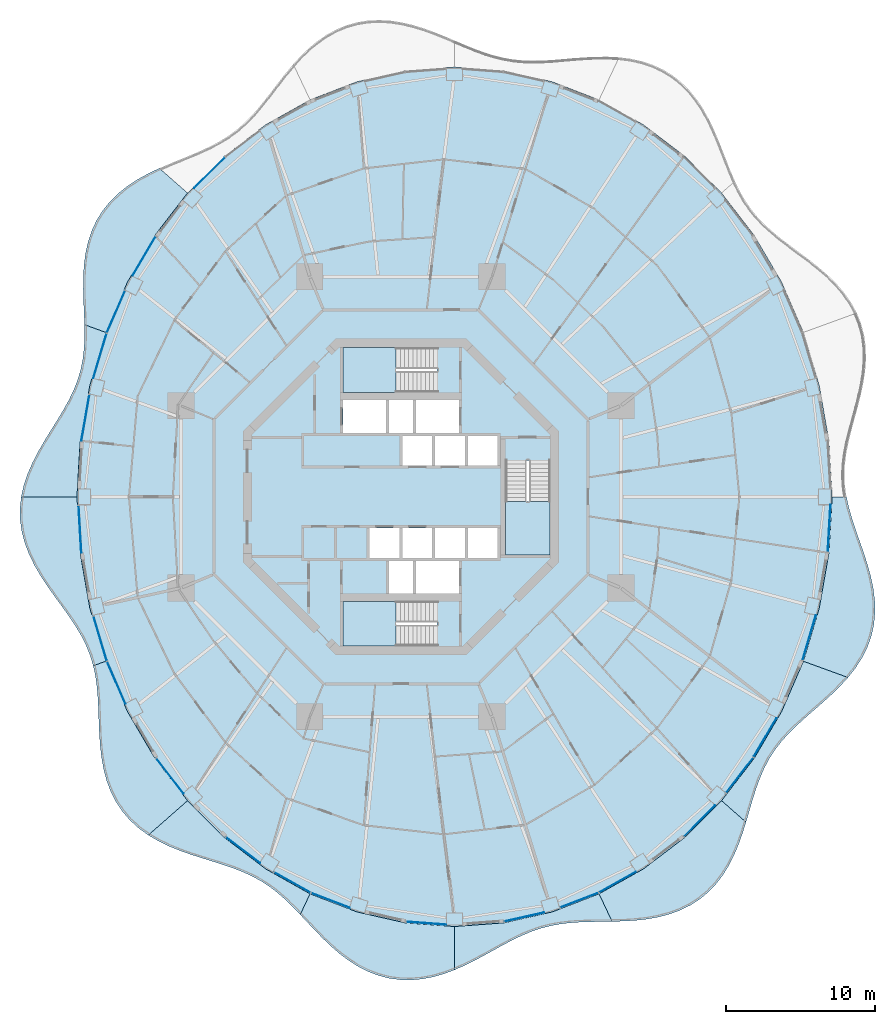
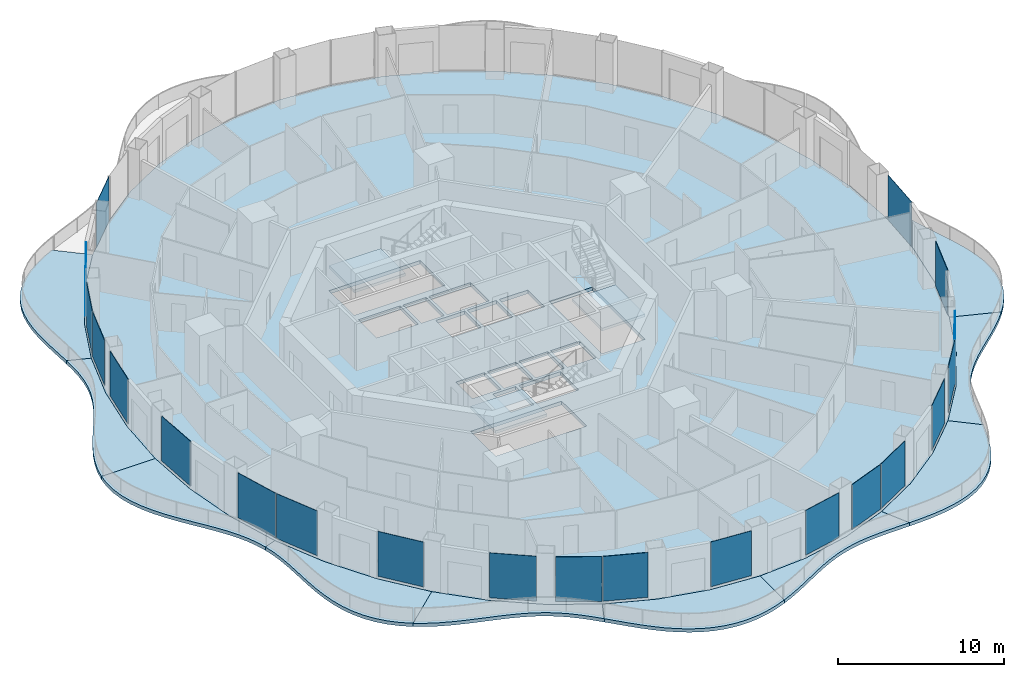
# One storey, part 9 of 19: 21 plates, 14 slabs, 24 elements without a shape of their own.
"""IFC4 building model written with IfcOpenShell, lengths in metres."""

from ifc_helpers import new_model, si_unit, direction, frame, origin, origin_2d, place, context, subcontext, project, spatial, polyline, rectangle, outline, extrude, material, layer, layer_set, type_object, element, aggregate, save


model = new_model("IFC4")

# Units and contexts
model_context = context("Model", 3, precision=1e-05, world=origin(), true_north=direction((0.0, 1.0)))
body_context = subcontext(model_context, "Body", "Model", "MODEL_VIEW")
ifc_project = project(units=[si_unit("LENGTHUNIT", "METRE"), si_unit("AREAUNIT", "SQUARE_METRE"), si_unit("VOLUMEUNIT", "CUBIC_METRE"), si_unit("PLANEANGLEUNIT", "RADIAN"), si_unit("MASSUNIT", "GRAM", prefix="KILO")], contexts=[model_context])

# Site, building, storey
site_placement = place(None, origin())
site = spatial("IfcSite", under=ifc_project, at=site_placement, CompositionType="ELEMENT")
building_placement = place(site_placement, origin())
building = spatial("IfcBuilding", under=site, at=building_placement, Name="Nagisa Residences", CompositionType="ELEMENT")
storey_placement = place(building_placement, frame((0.0, 0.0, 195.5)))
storey = spatial("IfcBuildingStorey", under=building, at=storey_placement, Name="L49", CompositionType="ELEMENT", Elevation=195.5)

# Slabs
ifc_material_1 = material(Name="Concrete C40/50", Category="concrete")
ifc_layer_1 = layer(ifc_material_1, 0.25)
ifc_layer_set_1 = layer_set([ifc_layer_1], Name="BALCONY SLAB 250")
slab_type_1 = type_object("IfcSlabType", Name="BALCONY SLAB 250", PredefinedType="FLOOR", material=ifc_layer_set_1)
slab_1_placement = place(storey_placement, frame((0.0, 0.0, -0.25)))
element("IfcSlab", 1, at=slab_1_placement, inside=storey, type_object=slab_type_1, Name="slab:L49:bal06", PredefinedType="FLOOR", context=body_context, shape_type="SweptSolid", body=[
    extrude(outline(polyline([(-16.233642578125, 22.079345703125), (-16.971923828125, 21.72509765625), (-17.686279296875, 21.331298828125), (-18.362060546875, 20.890380859375), (-18.986328125, 20.396728515625), (-19.54736328125, 19.84814453125), (-20.03564453125, 19.24462890625), (-20.4453125, 18.589111328125), (-20.773681640625, 17.88671875), (-21.021484375, 17.144287109375), (-21.193359375, 16.370361328125), (-21.297607421875, 15.573974609375), (-21.34521484375, 14.7646484375), (-21.349853515625, 13.95166015625), (-21.327392578125, 13.143310546875), (-21.293701171875, 12.346923828125), (-21.265869140625, 11.567626953125), (-19.843505859375, 11.050048828125), (-18.37548828125, 14.4375), (-16.53125, 17.577880859375), (-14.3427734375, 20.417724609375), (-16.233642578125, 22.079345703125)])), origin(), (0.0, 0.0, 1.0), 0.25),
])
slab_2_placement = place(storey_placement, frame((0.0, 0.0, -0.25)))
element("IfcSlab", 2, at=slab_2_placement, inside=storey, type_object=slab_type_1, Name="slab:L49:bal07", PredefinedType="FLOOR", context=body_context, shape_type="SweptSolid", body=[
    extrude(outline(polyline([(-21.265869140625, 11.567626953125), (-21.25927734375, 10.78564453125), (-21.290283203125, 10.027587890625), (-21.37109375, 9.293212890625), (-21.5107421875, 8.58056640625), (-21.713134765625, 7.88525390625), (-21.978515625, 7.20263671875), (-22.302490234375, 6.526123046875), (-22.675537109375, 5.850341796875), (-23.085693359375, 5.169189453125), (-23.516845703125, 4.4775390625), (-23.950927734375, 3.771484375), (-24.368896484375, 3.048828125), (-24.75146484375, 2.308837890625), (-25.08056640625, 1.552001953125), (-25.339599609375, 0.78125), (-25.515869140625, 0.0), (-21.77490234375, 0.0), (-21.557861328125, 3.76904296875), (-20.910400390625, 7.473388671875), (-19.843505859375, 11.050048828125), (-21.265869140625, 11.567626953125)])), origin(), (0.0, 0.0, 1.0), 0.25),
])
slab_3_placement = place(storey_placement, frame((0.0, 0.0, -0.25)))
element("IfcSlab", 3, at=slab_3_placement, inside=storey, type_object=slab_type_1, Name="slab:L49:bal08", PredefinedType="FLOOR", context=body_context, shape_type="SweptSolid", body=[
    extrude(outline(polyline([(-25.515869140625, 0.0), (-25.599609375, -0.786865234375), (-25.5859375, -1.57373046875), (-25.474609375, -2.35546875), (-25.269287109375, -3.12646484375), (-24.978759765625, -3.88232421875), (-24.615234375, -4.619873046875), (-24.194580078125, -5.33740234375), (-23.734130859375, -6.03466796875), (-23.253173828125, -6.713134765625), (-22.7705078125, -7.376220703125), (-22.3046875, -8.02880859375), (-21.871826171875, -8.676513671875), (-21.484619140625, -9.326171875), (-21.153076171875, -9.984619140625), (-20.88232421875, -10.657958984375), (-20.673583984375, -11.35205078125), (-19.843505859375, -11.050048828125), (-20.910400390625, -7.473388671875), (-21.557861328125, -3.76904296875), (-21.77490234375, 0.0), (-25.515869140625, 0.0)])), origin(), (0.0, 0.0, 1.0), 0.25),
])
slab_4_placement = place(storey_placement, frame((0.0, 0.0, -0.25)))
element("IfcSlab", 4, at=slab_4_placement, inside=storey, type_object=slab_type_1, Name="slab:L49:bal09", PredefinedType="FLOOR", context=body_context, shape_type="SweptSolid", body=[
    extrude(outline(polyline([(-20.673583984375, -11.35205078125), (-20.52685546875, -12.048583984375), (-20.427978515625, -12.7705078125), (-20.366455078125, -13.51806640625), (-20.329833984375, -14.289306640625), (-20.302978515625, -15.080810546875), (-20.27001953125, -15.885986328125), (-20.215087890625, -16.697509765625), (-20.12255859375, -17.506103515625), (-19.97900390625, -18.3017578125), (-19.7724609375, -19.073974609375), (-19.494873046875, -19.812255859375), (-19.140625, -20.507568359375), (-18.7080078125, -21.15185546875), (-18.19921875, -21.7392578125), (-17.619140625, -22.26611328125), (-16.97607421875, -22.73193359375), (-14.3427734375, -20.417724609375), (-16.53125, -17.577880859375), (-18.37548828125, -14.4375), (-19.843505859375, -11.050048828125), (-20.673583984375, -11.35205078125)])), origin(), (0.0, 0.0, 1.0), 0.25),
])
slab_5_placement = place(storey_placement, frame((0.0, 0.0, -0.25)))
element("IfcSlab", 5, at=slab_5_placement, inside=storey, type_object=slab_type_1, Name="slab:L49:bal10", PredefinedType="FLOOR", context=body_context, shape_type="SweptSolid", body=[
    extrude(outline(polyline([(-16.97607421875, -22.73193359375), (-16.314697265625, -23.120849609375), (-15.616455078125, -23.460693359375), (-14.893310546875, -23.757568359375), (-14.156982421875, -24.0205078125), (-13.419189453125, -24.25927734375), (-12.690185546875, -24.4853515625), (-11.97900390625, -24.710205078125), (-11.29248046875, -24.945068359375), (-10.635498046875, -25.201416015625), (-10.01025390625, -25.48779296875), (-9.416259765625, -25.812255859375), (-8.8515625, -26.17919921875), (-8.31103515625, -26.591064453125), (-7.78857421875, -27.046875), (-7.277099609375, -27.542724609375), (-6.767822265625, -28.0712890625), (-6.110595703125, -26.677001953125), (-9.08740234375, -25.006591796875), (-11.847412109375, -22.907958984375), (-14.3427734375, -20.417724609375), (-16.97607421875, -22.73193359375)])), origin(), (0.0, 0.0, 1.0), 0.25),
])
slab_6_placement = place(storey_placement, frame((0.0, 0.0, -0.25)))
element("IfcSlab", 6, at=slab_6_placement, inside=storey, type_object=slab_type_1, Name="slab:L49:bal11", PredefinedType="FLOOR", context=body_context, shape_type="SweptSolid", body=[
    extrude(outline(polyline([(-6.767822265625, -28.0712890625), (-6.271484375, -28.602783203125), (-5.762939453125, -29.145263671875), (-5.235595703125, -29.68603515625), (-4.684326171875, -30.21240234375), (-4.10595703125, -30.710205078125), (-3.497802734375, -31.166259765625), (-2.860107421875, -31.568115234375), (-2.194091796875, -31.9052734375), (-1.502685546875, -32.16845703125), (-0.79052734375, -32.3515625), (-0.062744140625, -32.451171875), (0.6748046875, -32.466796875), (1.41552734375, -32.4013671875), (2.1533203125, -32.26025390625), (2.883056640625, -32.0517578125), (3.60009765625, -31.786865234375), (3.60009765625, -28.875), (0.287841796875, -28.6279296875), (-2.967529296875, -27.89111328125), (-6.110595703125, -26.677001953125), (-6.767822265625, -28.0712890625)])), origin(), (0.0, 0.0, 1.0), 0.25),
])
slab_7_placement = place(storey_placement, frame((0.0, 0.0, -0.25)))
element("IfcSlab", 7, at=slab_7_placement, inside=storey, type_object=slab_type_1, Name="slab:L49:bal12", PredefinedType="FLOOR", context=body_context, shape_type="SweptSolid", body=[
    extrude(outline(polyline([(3.60009765625, -31.786865234375), (4.30078125, -31.477783203125), (4.9833984375, -31.13818359375), (5.647705078125, -30.7822265625), (6.294677734375, -30.423828125), (6.92724609375, -30.076416015625), (7.548828125, -29.751220703125), (8.16455078125, -29.458251953125), (8.779541015625, -29.20458984375), (9.399169921875, -28.994873046875), (10.029052734375, -28.83056640625), (10.673583984375, -28.7099609375), (11.336181640625, -28.629150390625), (12.01904296875, -28.5810546875), (12.722900390625, -28.556884765625), (13.4462890625, -28.54541015625), (14.186279296875, -28.534912109375), (13.310546875, -26.677001953125), (10.16748046875, -27.89111328125), (6.912109375, -28.6279296875), (3.60009765625, -28.875), (3.60009765625, -31.786865234375)])), origin(), (0.0, 0.0, 1.0), 0.25),
])
slab_8_placement = place(storey_placement, frame((0.0, 0.0, -0.25)))
element("IfcSlab", 8, at=slab_8_placement, inside=storey, type_object=slab_type_1, Name="slab:L49:bal13", PredefinedType="FLOOR", context=body_context, shape_type="SweptSolid", body=[
    extrude(outline(polyline([(14.186279296875, -28.534912109375), (14.966552734375, -28.511962890625), (15.752685546875, -28.462890625), (16.536376953125, -28.374755859375), (17.307861328125, -28.236328125), (18.057861328125, -28.037841796875), (18.7763671875, -27.772705078125), (19.45458984375, -27.4365234375), (20.08447265625, -27.0283203125), (20.66064453125, -26.5498046875), (21.17919921875, -26.005615234375), (21.638427734375, -25.40234375), (22.040283203125, -24.74951171875), (22.387939453125, -24.05712890625), (22.688232421875, -23.336669921875), (22.94970703125, -22.60009765625), (23.1826171875, -21.858642578125), (21.542724609375, -20.417724609375), (19.04736328125, -22.907958984375), (16.28759765625, -25.006591796875), (13.310546875, -26.677001953125), (14.186279296875, -28.534912109375)])), origin(), (0.0, 0.0, 1.0), 0.25),
])
slab_9_placement = place(storey_placement, frame((0.0, 0.0, -0.25)))
element("IfcSlab", 9, at=slab_9_placement, inside=storey, type_object=slab_type_1, Name="slab:L49:bal14", PredefinedType="FLOOR", context=body_context, shape_type="SweptSolid", body=[
    extrude(outline(polyline([(23.1826171875, -21.858642578125), (23.40869140625, -21.08740234375), (23.63037109375, -20.3330078125), (23.861083984375, -19.6044921875), (24.114501953125, -18.907470703125), (24.40185546875, -18.245849609375), (24.73193359375, -17.619873046875), (25.111083984375, -17.02783203125), (25.5419921875, -16.465576171875), (26.023193359375, -15.9267578125), (26.55029296875, -15.40380859375), (27.114990234375, -14.888427734375), (27.7060546875, -14.3720703125), (28.309814453125, -13.845703125), (28.91064453125, -13.30224609375), (29.4921875, -12.7353515625), (30.03759765625, -12.139892578125), (27.04345703125, -11.050048828125), (25.575439453125, -14.4375), (23.7314453125, -17.577880859375), (21.542724609375, -20.417724609375), (23.1826171875, -21.858642578125)])), origin(), (0.0, 0.0, 1.0), 0.25),
])
slab_10_placement = place(storey_placement, frame((0.0, 0.0, -0.25)))
element("IfcSlab", 10, at=slab_10_placement, inside=storey, type_object=slab_type_1, Name="slab:L49:bal15", PredefinedType="FLOOR", context=body_context, shape_type="SweptSolid", body=[
    extrude(outline(polyline([(30.03759765625, -12.139892578125), (30.54638671875, -11.49267578125), (30.985107421875, -10.81103515625), (31.341552734375, -10.095947265625), (31.60693359375, -9.3505859375), (31.777099609375, -8.57958984375), (31.851806640625, -7.788818359375), (31.835693359375, -6.98486328125), (31.73779296875, -6.174560546875), (31.57080078125, -5.3642578125), (31.35009765625, -4.5595703125), (31.09423828125, -3.765380859375), (30.822021484375, -2.984619140625), (30.552734375, -2.218505859375), (30.3046875, -1.46728515625), (30.09423828125, -0.728759765625), (29.934326171875, 0.0), (28.97509765625, 0.0), (28.7578125, -3.76904296875), (28.1103515625, -7.473388671875), (27.04345703125, -11.050048828125), (30.03759765625, -12.139892578125)])), origin(), (0.0, 0.0, 1.0), 0.25),
])

# Curtain wall, plate
ifc_material_2 = material(Name="Concrete-coloured aluminium curtain wall system", Category="concrete")
ifc_layer_2 = layer(ifc_material_2, 0.159912109375)
ifc_layer_set_2 = layer_set([ifc_layer_2], Name="CW1 CURTAIN WALL")
curtain_wall_type = type_object("IfcCurtainWallType", Name="CW1 CURTAIN WALL", PredefinedType="NOTDEFINED", material=ifc_layer_set_2)
curtain_wall_1_placement = place(storey_placement, origin())
curtain_wall_1 = element("IfcCurtainWall", 11, at=curtain_wall_1_placement, inside=storey, type_object=curtain_wall_type, Name="cw:CW1:L49:17", PredefinedType="NOTDEFINED")
ifc_material_3 = material(Name="Clear laminated glass", Category="glass")
ifc_layer_3 = layer(ifc_material_3, 0.028076171875)
ifc_layer_set_3 = layer_set([ifc_layer_3], Name="CW1 GLASS PANEL")
plate_type = type_object("IfcPlateType", Name="CW1 GLASS PANEL", PredefinedType="CURTAIN_PANEL", material=ifc_layer_set_3)
plate_1_placement = place(storey_placement, frame((-12.865234375, 21.779296875, 0.14990234375), z_axis=(0.0, 0.0, 1.0), x_axis=(-0.707835924016, -0.706376885714, 0.0)))
plate_1 = element("IfcPlate", 12, at=plate_1_placement, type_object=plate_type, Name="CW1 panel", PredefinedType="CURTAIN_PANEL", context=body_context, shape_type="SweptSolid", body=[
    extrude(rectangle(XDim=2.91552734375, YDim=0.028076171875, at=origin_2d()), origin(), (0.0, 0.0, 1.0), 3.2900390625),
])
aggregate(curtain_wall_1, [plate_1])

curtain_wall_2_placement = place(storey_placement, origin())
curtain_wall_2 = element("IfcCurtainWall", 13, at=curtain_wall_2_placement, inside=storey, type_object=curtain_wall_type, Name="cw:CW1:L49:19", PredefinedType="NOTDEFINED")
plate_2_placement = place(storey_placement, frame((-17.26025390625, 16.178466796875, 0.14990234375), z_axis=(0.0, 0.0, 1.0), x_axis=(-0.506348567002, -0.862328898214, 0.0)))
plate_2 = element("IfcPlate", 14, at=plate_2_placement, type_object=plate_type, Name="CW1 panel", PredefinedType="CURTAIN_PANEL", context=body_context, shape_type="SweptSolid", body=[
    extrude(rectangle(XDim=3.031982421875, YDim=0.028076171875, at=origin_2d()), origin(), (0.0, 0.0, 1.0), 3.2900390625),
])
aggregate(curtain_wall_2, [plate_2])

curtain_wall_3_placement = place(storey_placement, origin())
curtain_wall_3 = element("IfcCurtainWall", 15, at=curtain_wall_3_placement, inside=storey, type_object=curtain_wall_type, Name="cw:CW1:L49:20", PredefinedType="NOTDEFINED")
plate_3_placement = place(storey_placement, frame((-19.1572265625, 12.43212890625, 0.14990234375), z_axis=(0.0, 0.0, 1.0), x_axis=(-0.397635934147, -0.917543276295, 0.0)))
plate_3 = element("IfcPlate", 16, at=plate_3_placement, type_object=plate_type, Name="CW1 panel", PredefinedType="CURTAIN_PANEL", context=body_context, shape_type="SweptSolid", body=[
    extrude(rectangle(XDim=3.08203125, YDim=0.028076171875, at=origin_2d()), origin(), (0.0, 0.0, 1.0), 3.2900390625),
])
aggregate(curtain_wall_3, [plate_3])

curtain_wall_4_placement = place(storey_placement, origin())
curtain_wall_4 = element("IfcCurtainWall", 17, at=curtain_wall_4_placement, inside=storey, type_object=curtain_wall_type, Name="cw:CW1:L49:21", PredefinedType="NOTDEFINED")
plate_4_placement = place(storey_placement, frame((-20.230224609375, 9.4736328125, 0.14990234375), z_axis=(0.0, 0.0, 1.0), x_axis=(-0.285860274038, -0.958271310082, 0.0)))
plate_4 = element("IfcPlate", 18, at=plate_4_placement, type_object=plate_type, Name="CW1 panel", PredefinedType="CURTAIN_PANEL", context=body_context, shape_type="SweptSolid", body=[
    extrude(rectangle(XDim=3.122314453125, YDim=0.028076171875, at=origin_2d()), origin(), (0.0, 0.0, 1.0), 3.2900390625),
])
aggregate(curtain_wall_4, [plate_4])

curtain_wall_5_placement = place(storey_placement, origin())
curtain_wall_5 = element("IfcCurtainWall", 19, at=curtain_wall_5_placement, inside=storey, type_object=curtain_wall_type, Name="cw:CW1:L49:22", PredefinedType="NOTDEFINED")
plate_5_placement = place(storey_placement, frame((-21.207763671875, 5.306884765625, 0.14990234375), z_axis=(0.0, 0.0, 1.0), x_axis=(-0.172190868898, -0.985063604377, 0.0)))
plate_5 = element("IfcPlate", 20, at=plate_5_placement, type_object=plate_type, Name="CW1 panel", PredefinedType="CURTAIN_PANEL", context=body_context, shape_type="SweptSolid", body=[
    extrude(rectangle(XDim=3.150634765625, YDim=0.028076171875, at=origin_2d()), origin(), (0.0, 0.0, 1.0), 3.2900390625),
])
aggregate(curtain_wall_5, [plate_5])

curtain_wall_6_placement = place(storey_placement, origin())
curtain_wall_6 = element("IfcCurtainWall", 21, at=curtain_wall_6_placement, inside=storey, type_object=curtain_wall_type, Name="cw:CW1:L49:24", PredefinedType="NOTDEFINED")
plate_6_placement = place(storey_placement, frame((-21.569091796875, -2.184326171875, 0.14990234375), z_axis=(0.0, 0.0, 1.0), x_axis=(0.057503492216, -0.998345305184, 0.0)))
plate_6 = element("IfcPlate", 22, at=plate_6_placement, type_object=plate_type, Name="CW1 panel", PredefinedType="CURTAIN_PANEL", context=body_context, shape_type="SweptSolid", body=[
    extrude(rectangle(XDim=3.165283203125, YDim=0.028076171875, at=origin_2d()), origin(), (0.0, 0.0, 1.0), 3.2900390625),
])
aggregate(curtain_wall_6, [plate_6])

curtain_wall_7_placement = place(storey_placement, origin())
curtain_wall_7 = element("IfcCurtainWall", 23, at=curtain_wall_7_placement, inside=storey, type_object=curtain_wall_type, Name="cw:CW1:L49:26", PredefinedType="NOTDEFINED")
plate_7_placement = place(storey_placement, frame((-20.213134765625, -9.531005859375, 0.14990234375), z_axis=(0.0, 0.0, 1.0), x_axis=(0.285860274038, -0.958271310082, 0.0)))
plate_7 = element("IfcPlate", 24, at=plate_7_placement, type_object=plate_type, Name="CW1 panel", PredefinedType="CURTAIN_PANEL", context=body_context, shape_type="SweptSolid", body=[
    extrude(rectangle(XDim=3.122314453125, YDim=0.028076171875, at=origin_2d()), origin(), (0.0, 0.0, 1.0), 3.2900390625),
])
aggregate(curtain_wall_7, [plate_7])

curtain_wall_8_placement = place(storey_placement, origin())
curtain_wall_8 = element("IfcCurtainWall", 25, at=curtain_wall_8_placement, inside=storey, type_object=curtain_wall_type, Name="cw:CW1:L49:27", PredefinedType="NOTDEFINED")
plate_8_placement = place(storey_placement, frame((-19.133544921875, -12.487060546875, 0.14990234375), z_axis=(0.0, 0.0, 1.0), x_axis=(0.397635934147, -0.917543276295, 0.0)))
plate_8 = element("IfcPlate", 26, at=plate_8_placement, type_object=plate_type, Name="CW1 panel", PredefinedType="CURTAIN_PANEL", context=body_context, shape_type="SweptSolid", body=[
    extrude(rectangle(XDim=3.08203125, YDim=0.028076171875, at=origin_2d()), origin(), (0.0, 0.0, 1.0), 3.2900390625),
])
aggregate(curtain_wall_8, [plate_8])

curtain_wall_9_placement = place(storey_placement, origin())
curtain_wall_9 = element("IfcCurtainWall", 27, at=curtain_wall_9_placement, inside=storey, type_object=curtain_wall_type, Name="cw:CW1:L49:29", PredefinedType="NOTDEFINED")
plate_9_placement = place(storey_placement, frame((-15.523193359375, -18.7548828125, 0.14990234375), z_axis=(0.0, 0.0, 1.0), x_axis=(0.610429828235, -0.792070340816, 0.0)))
plate_9 = element("IfcPlate", 28, at=plate_9_placement, type_object=plate_type, Name="CW1 panel", PredefinedType="CURTAIN_PANEL", context=body_context, shape_type="SweptSolid", body=[
    extrude(rectangle(XDim=2.97509765625, YDim=0.028076171875, at=origin_2d()), origin(), (0.0, 0.0, 1.0), 3.2900390625),
])
aggregate(curtain_wall_9, [plate_9])

curtain_wall_10_placement = place(storey_placement, origin())
curtain_wall_10 = element("IfcCurtainWall", 29, at=curtain_wall_10_placement, inside=storey, type_object=curtain_wall_type, Name="cw:CW1:L49:31", PredefinedType="NOTDEFINED")
plate_10_placement = place(storey_placement, frame((-10.614013671875, -23.745361328125, 0.14990234375), z_axis=(0.0, 0.0, 1.0), x_axis=(0.79603132756, -0.605255421737, 0.0)))
plate_10 = element("IfcPlate", 30, at=plate_10_placement, type_object=plate_type, Name="CW1 panel", PredefinedType="CURTAIN_PANEL", context=body_context, shape_type="SweptSolid", body=[
    extrude(rectangle(XDim=2.85693359375, YDim=0.028076171875, at=origin_2d()), origin(), (0.0, 0.0, 1.0), 3.2900390625),
])
aggregate(curtain_wall_10, [plate_10])

curtain_wall_11_placement = place(storey_placement, origin())
curtain_wall_11 = element("IfcCurtainWall", 31, at=curtain_wall_11_placement, inside=storey, type_object=curtain_wall_type, Name="cw:CW1:L49:32", PredefinedType="NOTDEFINED")
plate_11_placement = place(storey_placement, frame((-7.2939453125, -25.921142578125, 0.14990234375), z_axis=(0.0, 0.0, 1.0), x_axis=(0.872072377523, -0.489376918501, 0.0)))
plate_11 = element("IfcPlate", 32, at=plate_11_placement, type_object=plate_type, Name="CW1 panel", PredefinedType="CURTAIN_PANEL", context=body_context, shape_type="SweptSolid", body=[
    extrude(rectangle(XDim=2.8037109375, YDim=0.028076171875, at=origin_2d()), origin(), (0.0, 0.0, 1.0), 3.2900390625),
])
aggregate(curtain_wall_11, [plate_11])

curtain_wall_12_placement = place(storey_placement, origin())
curtain_wall_12 = element("IfcCurtainWall", 33, at=curtain_wall_12_placement, inside=storey, type_object=curtain_wall_type, Name="cw:CW1:L49:33", PredefinedType="NOTDEFINED")
plate_12_placement = place(storey_placement, frame((-4.73876953125, -27.12109375, 0.14990234375), z_axis=(0.0, 0.0, 1.0), x_axis=(0.932825759707, -0.360327770268, 0.0)))
plate_12 = element("IfcPlate", 34, at=plate_12_placement, type_object=plate_type, Name="CW1 panel", PredefinedType="CURTAIN_PANEL", context=body_context, shape_type="SweptSolid", body=[
    extrude(rectangle(XDim=2.75927734375, YDim=0.028076171875, at=origin_2d()), origin(), (0.0, 0.0, 1.0), 3.2900390625),
])
aggregate(curtain_wall_12, [plate_12])

curtain_wall_13_placement = place(storey_placement, origin())
curtain_wall_13 = element("IfcCurtainWall", 35, at=curtain_wall_13_placement, inside=storey, type_object=curtain_wall_type, Name="cw:CW1:L49:35", PredefinedType="NOTDEFINED")
plate_13_placement = place(storey_placement, frame((1.70556640625, -28.653564453125, 0.14990234375), z_axis=(0.0, 0.0, 1.0), x_axis=(0.997230168512, -0.074377355493, 0.0)))
plate_13 = element("IfcPlate", 36, at=plate_13_placement, type_object=plate_type, Name="CW1 panel", PredefinedType="CURTAIN_PANEL", context=body_context, shape_type="SweptSolid", body=[
    extrude(rectangle(XDim=2.711181640625, YDim=0.028076171875, at=origin_2d()), origin(), (0.0, 0.0, 1.0), 3.2900390625),
])
aggregate(curtain_wall_13, [plate_13])

curtain_wall_14_placement = place(storey_placement, origin())
curtain_wall_14 = element("IfcCurtainWall", 37, at=curtain_wall_14_placement, inside=storey, type_object=curtain_wall_type, Name="cw:CW1:L49:37", PredefinedType="NOTDEFINED")
plate_14_placement = place(storey_placement, frame((8.283203125, -28.235595703125, 0.14990234375), z_axis=(0.0, 0.0, 1.0), x_axis=(0.975327274089, 0.2207639201, 0.0)))
plate_14 = element("IfcPlate", 38, at=plate_14_placement, type_object=plate_type, Name="CW1 panel", PredefinedType="CURTAIN_PANEL", context=body_context, shape_type="SweptSolid", body=[
    extrude(rectangle(XDim=2.727783203125, YDim=0.028076171875, at=origin_2d()), origin(), (0.0, 0.0, 1.0), 3.2900390625),
])
aggregate(curtain_wall_14, [plate_14])

curtain_wall_15_placement = place(storey_placement, origin())
curtain_wall_15 = element("IfcCurtainWall", 39, at=curtain_wall_15_placement, inside=storey, type_object=curtain_wall_type, Name="cw:CW1:L49:38", PredefinedType="NOTDEFINED")
plate_15_placement = place(storey_placement, frame((11.99462890625, -27.099609375, 0.14990234375), z_axis=(0.0, 0.0, 1.0), x_axis=(0.932825759707, 0.360327770268, 0.0)))
plate_15 = element("IfcPlate", 40, at=plate_15_placement, type_object=plate_type, Name="CW1 panel", PredefinedType="CURTAIN_PANEL", context=body_context, shape_type="SweptSolid", body=[
    extrude(rectangle(XDim=2.75927734375, YDim=0.028076171875, at=origin_2d()), origin(), (0.0, 0.0, 1.0), 3.2900390625),
])
aggregate(curtain_wall_15, [plate_15])

curtain_wall_16_placement = place(storey_placement, origin())
curtain_wall_16 = element("IfcCurtainWall", 41, at=curtain_wall_16_placement, inside=storey, type_object=curtain_wall_type, Name="cw:CW1:L49:39", PredefinedType="NOTDEFINED")
plate_16_placement = place(storey_placement, frame((14.546142578125, -25.891845703125, 0.14990234375), z_axis=(0.0, 0.0, 1.0), x_axis=(0.872072377523, 0.489376918501, 0.0)))
plate_16 = element("IfcPlate", 42, at=plate_16_placement, type_object=plate_type, Name="CW1 panel", PredefinedType="CURTAIN_PANEL", context=body_context, shape_type="SweptSolid", body=[
    extrude(rectangle(XDim=2.8037109375, YDim=0.028076171875, at=origin_2d()), origin(), (0.0, 0.0, 1.0), 3.2900390625),
])
aggregate(curtain_wall_16, [plate_16])

curtain_wall_17_placement = place(storey_placement, origin())
curtain_wall_17 = element("IfcCurtainWall", 43, at=curtain_wall_17_placement, inside=storey, type_object=curtain_wall_type, Name="cw:CW1:L49:41", PredefinedType="NOTDEFINED")
plate_17_placement = place(storey_placement, frame((20.065185546875, -21.779296875, 0.14990234375), z_axis=(0.0, 0.0, 1.0), x_axis=(0.707835924016, 0.706376885714, 0.0)))
plate_17 = element("IfcPlate", 44, at=plate_17_placement, type_object=plate_type, Name="CW1 panel", PredefinedType="CURTAIN_PANEL", context=body_context, shape_type="SweptSolid", body=[
    extrude(rectangle(XDim=2.91552734375, YDim=0.028076171875, at=origin_2d()), origin(), (0.0, 0.0, 1.0), 3.2900390625),
])
aggregate(curtain_wall_17, [plate_17])

curtain_wall_18_placement = place(storey_placement, origin())
curtain_wall_18 = element("IfcCurtainWall", 45, at=curtain_wall_18_placement, inside=storey, type_object=curtain_wall_type, Name="cw:CW1:L49:42", PredefinedType="NOTDEFINED")
plate_18_placement = place(storey_placement, frame((22.760009765625, -18.70751953125, 0.14990234375), z_axis=(0.0, 0.0, 1.0), x_axis=(0.610429828235, 0.792070340816, 0.0)))
plate_18 = element("IfcPlate", 46, at=plate_18_placement, type_object=plate_type, Name="CW1 panel", PredefinedType="CURTAIN_PANEL", context=body_context, shape_type="SweptSolid", body=[
    extrude(rectangle(XDim=2.97509765625, YDim=0.028076171875, at=origin_2d()), origin(), (0.0, 0.0, 1.0), 3.2900390625),
])
aggregate(curtain_wall_18, [plate_18])

curtain_wall_19_placement = place(storey_placement, origin())
curtain_wall_19 = element("IfcCurtainWall", 47, at=curtain_wall_19_placement, inside=storey, type_object=curtain_wall_type, Name="cw:CW1:L49:43", PredefinedType="NOTDEFINED")
plate_19_placement = place(storey_placement, frame((24.460205078125, -16.178466796875, 0.14990234375), z_axis=(0.0, 0.0, 1.0), x_axis=(0.506348567002, 0.862328898214, 0.0)))
plate_19 = element("IfcPlate", 48, at=plate_19_placement, type_object=plate_type, Name="CW1 panel", PredefinedType="CURTAIN_PANEL", context=body_context, shape_type="SweptSolid", body=[
    extrude(rectangle(XDim=3.031982421875, YDim=0.028076171875, at=origin_2d()), origin(), (0.0, 0.0, 1.0), 3.2900390625),
])
aggregate(curtain_wall_19, [plate_19])

curtain_wall_20_placement = place(storey_placement, origin())
curtain_wall_20 = element("IfcCurtainWall", 49, at=curtain_wall_20_placement, inside=storey, type_object=curtain_wall_type, Name="cw:CW1:L49:45", PredefinedType="NOTDEFINED")
plate_20_placement = place(storey_placement, frame((27.43017578125, -9.4736328125, 0.14990234375), z_axis=(0.0, 0.0, 1.0), x_axis=(0.285860274038, 0.958271310082, 0.0)))
plate_20 = element("IfcPlate", 50, at=plate_20_placement, type_object=plate_type, Name="CW1 panel", PredefinedType="CURTAIN_PANEL", context=body_context, shape_type="SweptSolid", body=[
    extrude(rectangle(XDim=3.122314453125, YDim=0.028076171875, at=origin_2d()), origin(), (0.0, 0.0, 1.0), 3.2900390625),
])
aggregate(curtain_wall_20, [plate_20])

curtain_wall_21_placement = place(storey_placement, origin())
curtain_wall_21 = element("IfcCurtainWall", 51, at=curtain_wall_21_placement, inside=storey, type_object=curtain_wall_type, Name="cw:CW1:L49:47", PredefinedType="NOTDEFINED")
plate_21_placement = place(storey_placement, frame((28.7724609375, -2.12451171875, 0.14990234375), z_axis=(0.0, 0.0, 1.0), x_axis=(0.057503492216, 0.998345305184, 0.0)))
plate_21 = element("IfcPlate", 52, at=plate_21_placement, type_object=plate_type, Name="CW1 panel", PredefinedType="CURTAIN_PANEL", context=body_context, shape_type="SweptSolid", body=[
    extrude(rectangle(XDim=3.165283203125, YDim=0.028076171875, at=origin_2d()), origin(), (0.0, 0.0, 1.0), 3.2900390625),
])
aggregate(curtain_wall_21, [plate_21])

# Slab
ifc_material_4 = material(Name="Concrete C40", Category="concrete")
ifc_layer_4 = layer(ifc_material_4, 0.260009765625)
ifc_layer_set_4 = layer_set([ifc_layer_4], Name="Floor slab 260")
slab_type_2 = type_object("IfcSlabType", Name="Floor slab 260", PredefinedType="FLOOR", material=ifc_layer_set_4)
slab_11_placement = place(storey_placement, frame((0.0, 0.0, -0.260009765625)))
element("IfcSlab", 53, at=slab_11_placement, inside=storey, type_object=slab_type_2, Name="slab:L49:floor", PredefinedType="FLOOR", context=body_context, shape_type="SweptSolid", body=[
    extrude(outline(polyline([(28.97509765625, 0.0), (28.7578125, 3.76904296875), (28.1103515625, 7.473388671875), (27.04345703125, 11.050048828125), (25.575439453125, 14.4375), (23.7314453125, 17.577880859375), (21.542724609375, 20.417724609375), (19.04736328125, 22.907958984375), (16.28759765625, 25.006591796875), (13.310546875, 26.677001953125), (10.16748046875, 27.89111328125), (6.912109375, 28.6279296875), (3.60009765625, 28.875), (0.287841796875, 28.6279296875), (-2.967529296875, 27.89111328125), (-6.110595703125, 26.677001953125), (-9.08740234375, 25.006591796875), (-11.847412109375, 22.907958984375), (-14.3427734375, 20.417724609375), (-16.53125, 17.577880859375), (-18.37548828125, 14.4375), (-19.843505859375, 11.050048828125), (-20.910400390625, 7.473388671875), (-21.557861328125, 3.76904296875), (-21.77490234375, 0.0), (-21.557861328125, -3.76904296875), (-20.910400390625, -7.473388671875), (-19.843505859375, -11.050048828125), (-18.37548828125, -14.4375), (-16.53125, -17.577880859375), (-14.3427734375, -20.417724609375), (-11.847412109375, -22.907958984375), (-9.08740234375, -25.006591796875), (-6.110595703125, -26.677001953125), (-2.967529296875, -27.89111328125), (0.287841796875, -28.6279296875), (3.60009765625, -28.875), (6.912109375, -28.6279296875), (10.16748046875, -27.89111328125), (13.310546875, -26.677001953125), (16.28759765625, -25.006591796875), (19.04736328125, -22.907958984375), (21.542724609375, -20.417724609375), (23.7314453125, -17.577880859375), (25.575439453125, -14.4375), (27.04345703125, -11.050048828125), (28.1103515625, -7.473388671875), (28.7578125, -3.76904296875), (28.97509765625, 0.0)]), holes=[polyline([(2.10009765625, 2.10009765625), (2.10009765625, 4.10009765625), (0.10009765625, 4.10009765625), (0.10009765625, 2.10009765625), (2.10009765625, 2.10009765625)]), polyline([(4.300048828125, 2.10009765625), (4.300048828125, 4.10009765625), (2.300048828125, 4.10009765625), (2.300048828125, 2.10009765625), (4.300048828125, 2.10009765625)]), polyline([(6.5, 2.10009765625), (6.5, 4.10009765625), (4.5, 4.10009765625), (4.5, 2.10009765625), (6.5, 2.10009765625)]), polyline([(-0.10009765625, -4.10009765625), (-0.10009765625, -2.10009765625), (-2.10009765625, -2.10009765625), (-2.10009765625, -4.10009765625), (-0.10009765625, -4.10009765625)]), polyline([(2.10009765625, -4.10009765625), (2.10009765625, -2.10009765625), (0.10009765625, -2.10009765625), (0.10009765625, -4.10009765625), (2.10009765625, -4.10009765625)]), polyline([(4.300048828125, -4.10009765625), (4.300048828125, -2.10009765625), (2.300048828125, -2.10009765625), (2.300048828125, -4.10009765625), (4.300048828125, -4.10009765625)]), polyline([(6.5, -4.10009765625), (6.5, -2.10009765625), (4.5, -2.10009765625), (4.5, -4.10009765625), (6.5, -4.10009765625)]), polyline([(3.89990234375, 4.300048828125), (3.89990234375, 6.5), (1.0, 6.5), (1.0, 4.300048828125), (3.89990234375, 4.300048828125)]), polyline([(3.89990234375, -6.5), (3.89990234375, -4.300048828125), (1.0, -4.300048828125), (1.0, -6.5), (3.89990234375, -6.5)]), polyline([(-1.0, 4.300048828125), (-1.0, 6.5), (-3.89990234375, 6.5), (-3.89990234375, 4.300048828125), (-1.0, 4.300048828125)]), polyline([(0.800048828125, 4.300048828125), (0.800048828125, 6.5), (-0.800048828125, 6.5), (-0.800048828125, 4.300048828125), (0.800048828125, 4.300048828125)]), polyline([(0.800048828125, -6.5), (0.800048828125, -4.300048828125), (-0.800048828125, -4.300048828125), (-0.800048828125, -6.5), (0.800048828125, -6.5)]), polyline([(10.024658203125, -3.89990234375), (7.024658203125, -3.89990234375), (7.024658203125, 2.425048828125), (10.024658203125, 2.425048828125), (10.024658203125, -3.89990234375)]), polyline([(-3.89990234375, 7.024658203125), (-3.89990234375, 10.024658203125), (2.425048828125, 10.024658203125), (2.425048828125, 7.024658203125), (-3.89990234375, 7.024658203125)]), polyline([(-3.89990234375, -10.024658203125), (-3.89990234375, -7.024658203125), (2.425048828125, -7.024658203125), (2.425048828125, -10.024658203125), (-3.89990234375, -10.024658203125)])]), origin(), (0.0, 0.0, 1.0), 0.260009765625),
])

# Stair, slab
ifc_material_5 = material(Name="Concrete C60", Category="concrete")
stair_type = type_object("IfcStairType", Name="Exit stair", PredefinedType="HALF_TURN_STAIR", material=ifc_material_5)
stair_1_placement = place(storey_placement, origin())
stair_1 = element("IfcStair", 54, at=stair_1_placement, inside=storey, type_object=stair_type, Name="L49 Exit stair E", PredefinedType="HALF_TURN_STAIR")
ifc_material_6 = material(Name="Concrete C60", Category="concrete")
ifc_layer_5 = layer(ifc_material_6, 0.199951171875)
ifc_layer_set_5 = layer_set([ifc_layer_5], Name="Stair landing")
slab_type_3 = type_object("IfcSlabType", Name="Stair landing", PredefinedType="LANDING", material=ifc_layer_set_5)
slab_12_placement = place(storey_placement, frame((0.0, 0.0, 1.64990234375)))
slab_12 = element("IfcSlab", 55, at=slab_12_placement, type_object=slab_type_3, Name="ST-E landing 1", PredefinedType="LANDING", context=body_context, shape_type="SweptSolid", body=[
    extrude(outline(polyline([(7.024658203125, -0.324951171875), (7.024658203125, -3.89990234375), (10.024658203125, -3.89990234375), (10.024658203125, -0.324951171875), (7.024658203125, -0.324951171875)])), origin(), (0.0, 0.0, 1.0), 0.2001953125),
])
aggregate(stair_1, [slab_12])

stair_2_placement = place(storey_placement, origin())
stair_2 = element("IfcStair", 56, at=stair_2_placement, inside=storey, type_object=stair_type, Name="L49 Exit stair N", PredefinedType="HALF_TURN_STAIR")
slab_13_placement = place(storey_placement, frame((0.0, 0.0, 1.64990234375)))
slab_13 = element("IfcSlab", 57, at=slab_13_placement, type_object=slab_type_3, Name="ST-N landing 1", PredefinedType="LANDING", context=body_context, shape_type="SweptSolid", body=[
    extrude(outline(polyline([(-0.324951171875, 10.024658203125), (-3.89990234375, 10.024658203125), (-3.89990234375, 7.024658203125), (-0.324951171875, 7.024658203125), (-0.324951171875, 10.024658203125)])), origin(), (0.0, 0.0, 1.0), 0.2001953125),
])
aggregate(stair_2, [slab_13])

stair_3_placement = place(storey_placement, origin())
stair_3 = element("IfcStair", 58, at=stair_3_placement, inside=storey, type_object=stair_type, Name="L49 Exit stair S", PredefinedType="HALF_TURN_STAIR")
slab_14_placement = place(storey_placement, frame((0.0, 0.0, 1.64990234375)))
slab_14 = element("IfcSlab", 59, at=slab_14_placement, type_object=slab_type_3, Name="ST-S landing 1", PredefinedType="LANDING", context=body_context, shape_type="SweptSolid", body=[
    extrude(outline(polyline([(-0.324951171875, -7.024658203125), (-3.89990234375, -7.024658203125), (-3.89990234375, -10.024658203125), (-0.324951171875, -10.024658203125), (-0.324951171875, -7.024658203125)])), origin(), (0.0, 0.0, 1.0), 0.2001953125),
])
aggregate(stair_3, [slab_14])

save(model, "model.ifc")
